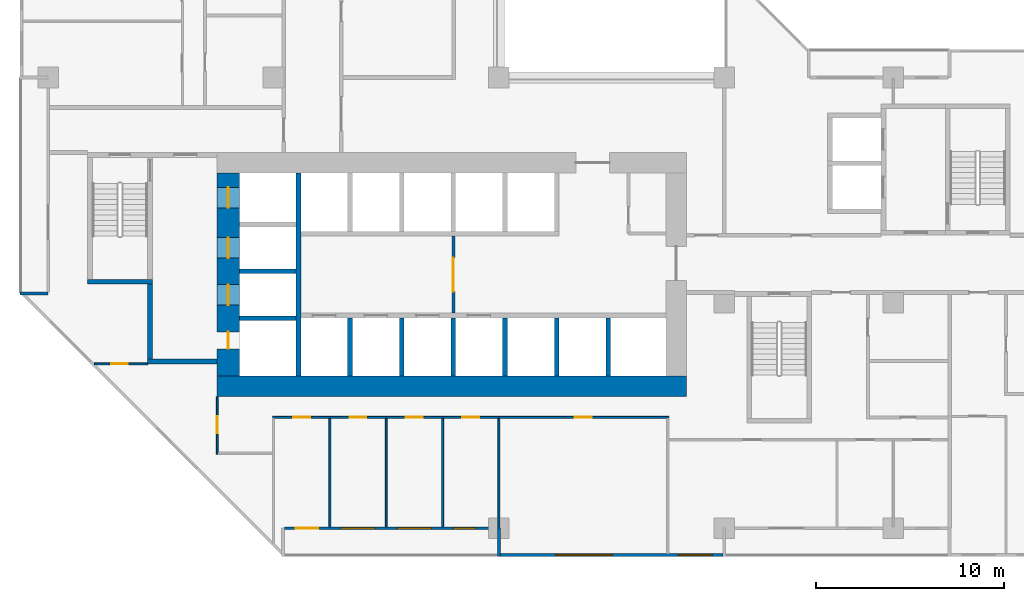
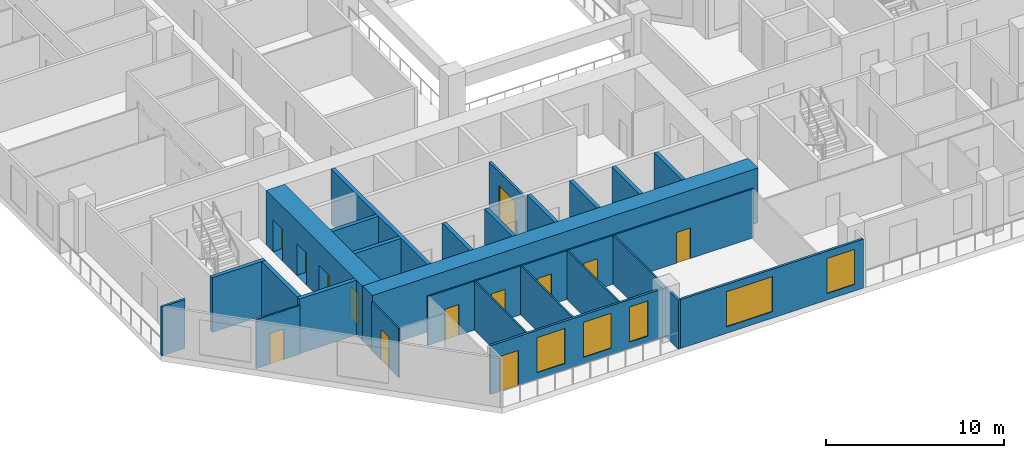
# One storey, part 4 of 15: 26 walls, 13 doors, 5 windows, 18 openings.
"""IFC4 building model written with IfcOpenShell, lengths in metres."""

from ifc_helpers import new_model, si_unit, direction, frame, frame_2d, origin, place, context, subcontext, project, spatial, rectangle, extrude, material, layer, layer_set, type_object, element, fill, save


model = new_model("IFC4")

# Units and contexts
model_context = context("Model", 3, precision=1e-05, world=origin(), true_north=direction((0.0, 1.0)))
body_context = subcontext(model_context, "Body", "Model", "MODEL_VIEW")
ifc_project = project(units=[si_unit("LENGTHUNIT", "METRE"), si_unit("AREAUNIT", "SQUARE_METRE"), si_unit("VOLUMEUNIT", "CUBIC_METRE"), si_unit("PLANEANGLEUNIT", "RADIAN"), si_unit("MASSUNIT", "GRAM", prefix="KILO")], contexts=[model_context])

# Site, building, storey
site_placement = place(None, origin())
site = spatial("IfcSite", under=ifc_project, at=site_placement, CompositionType="ELEMENT")
building_placement = place(site_placement, origin())
building = spatial("IfcBuilding", under=site, at=building_placement, Name="Chenar Terraces", CompositionType="ELEMENT")
storey_placement = place(building_placement, frame((0.0, 0.0, 60.14990234375)))
storey = spatial("IfcBuildingStorey", under=building, at=storey_placement, Name="L12", CompositionType="ELEMENT", Elevation=60.14990234375)

# Wall, opening, door
ifc_material_1 = material(Name="Gypsum board on steel studs", Category="steel")
ifc_layer_1 = layer(ifc_material_1, 0.14990234375)
ifc_layer_set_1 = layer_set([ifc_layer_1], Name="Gypsum board on steel studs")
wall_type_1 = type_object("IfcWallType", Name="Core partition 150 gypsum board", PredefinedType="PARTITIONING", material=ifc_layer_set_1)
wall_1_placement = place(storey_placement, frame((21.574951171875, 11.449951171875, 0.0), z_axis=(0.0, 0.0, 1.0), x_axis=(0.0, 1.0, 0.0)))
wall_1 = element("IfcWall", 1, at=wall_1_placement, inside=storey, type_object=wall_type_1, Name="Core partition CP1 lift lobby smoke stop", PredefinedType="PARTITIONING", context=body_context, shape_type="SweptSolid", body=[
    extrude(rectangle(XDim=4.10009765625, YDim=0.14990234375, at=frame_2d((2.050048828125, 0.0))), origin(), (0.0, 0.0, 1.0), 3.35009765625),
])
opening_1_placement = place(wall_1_placement, frame((1.14990234375, 0.0, 0.0)))
opening_1 = element("IfcOpeningElement", 2, at=opening_1_placement, cuts=wall_1, Name="Opening DL12-C12", PredefinedType="OPENING", context=body_context, shape_type="SweptSolid", body=[
    extrude(rectangle(XDim=1.800048828125, YDim=2.39990234375, at=frame_2d((0.89990234375, 1.199951171875))), frame((0.0, 0.0849609375, 0.0), z_axis=(0.0, -1.0, 0.0), x_axis=(1.0, 0.0, 0.0)), (0.0, 0.0, 1.0), 0.169921875),
])
ifc_material_2 = material(Name="Steel-framed fire-resisting door leaf", Category="steel")
door_type_1 = type_object("IfcDoorType", Name="Core entrance double fire door FD60 1800 x 2400", OperationType="DOUBLE_DOOR_SINGLE_SWING", PredefinedType="DOOR", material=ifc_material_2)
door_1_placement = place(opening_1_placement, frame((1.800048828125, 0.0, 0.0), z_axis=(0.0, 0.0, 1.0), x_axis=(-1.0, 0.0, 0.0)))
door_1 = element("IfcDoor", 3, at=door_1_placement, inside=storey, type_object=door_type_1, Name="Core door DL12-C12", OperationType="DOUBLE_DOOR_SINGLE_SWING", OverallHeight=2.39990234375, OverallWidth=1.800048828125, PredefinedType="DOOR", context=body_context, shape_type="SweptSolid", body=[
    extrude(rectangle(XDim=1.800048828125, YDim=2.39990234375, at=frame_2d((0.89990234375, 1.199951171875))), frame((0.0, 0.02490234375, 0.0), z_axis=(0.0, -1.0, 0.0), x_axis=(1.0, 0.0, 0.0)), (0.0, 0.0, 1.0), 0.050048828125),
])
fill(opening_1, door_1)

# Wall
ifc_material_3 = material(Name="Concrete C70/85", Category="concrete")
ifc_layer_2 = layer(ifc_material_3, 1.10009765625)
ifc_layer_set_2 = layer_set([ifc_layer_2], Name="Concrete C70/85")
wall_type_2 = type_object("IfcWallType", Name="Core wall 1100 Concrete C70/85", PredefinedType="SHEAR", material=ifc_layer_set_2)
wall_2_placement = place(storey_placement, frame((9.0, 7.550048828125, 0.0), z_axis=(0.0, 0.0, 1.0), x_axis=(1.0, 0.0, 0.0)))
element("IfcWall", 4, at=wall_2_placement, inside=storey, type_object=wall_type_2, Name="Core wall S L12", PredefinedType="SHEAR", context=body_context, shape_type="SweptSolid", body=[
    extrude(rectangle(XDim=25.0, YDim=1.10009765625, at=frame_2d((12.5, 0.0))), origin(), (0.0, 0.0, 1.0), 3.75),
])

# Wall, openings, doors
ifc_material_4 = material(Name="Concrete C70/85", Category="concrete")
ifc_layer_3 = layer(ifc_material_4, 1.199951171875)
ifc_layer_set_3 = layer_set([ifc_layer_3], Name="Concrete C70/85")
wall_type_3 = type_object("IfcWallType", Name="Core wall 1200 Concrete C70/85", PredefinedType="SHEAR", material=ifc_layer_set_3)
wall_3_placement = place(storey_placement, frame((9.60009765625, 8.10009765625, 0.0), z_axis=(0.0, 0.0, 1.0), x_axis=(0.0, 1.0, 0.0)))
wall_3 = element("IfcWall", 5, at=wall_3_placement, inside=storey, type_object=wall_type_3, Name="Core wall W L12", PredefinedType="SHEAR", context=body_context, shape_type="SweptSolid", body=[
    extrude(rectangle(XDim=10.7998046875, YDim=1.199951171875, at=frame_2d((5.39990234375, 0.0))), origin(), (0.0, 0.0, 1.0), 3.75),
])
opening_2_placement = place(wall_3_placement, frame((3.77490234375, 0.0, 0.0)))
opening_2 = element("IfcOpeningElement", 6, at=opening_2_placement, cuts=wall_3, Name="Opening DL12-LD5", PredefinedType="OPENING", context=body_context, shape_type="SweptSolid", body=[
    extrude(rectangle(XDim=1.10009765625, YDim=2.199951171875, at=frame_2d((0.550048828125, 1.10009765625))), frame((0.0, 0.60986328125, 0.0), z_axis=(0.0, -1.0, 0.0), x_axis=(1.0, 0.0, 0.0)), (0.0, 0.0, 1.0), 1.219970703125),
])
opening_3_placement = place(wall_3_placement, frame((6.27490234375, 0.0, 0.0)))
opening_3 = element("IfcOpeningElement", 7, at=opening_3_placement, cuts=wall_3, Name="Opening DL12-LD6", PredefinedType="OPENING", context=body_context, shape_type="SweptSolid", body=[
    extrude(rectangle(XDim=1.10009765625, YDim=2.199951171875, at=frame_2d((0.550048828125, 1.10009765625))), frame((0.0, 0.60986328125, 0.0), z_axis=(0.0, -1.0, 0.0), x_axis=(1.0, 0.0, 0.0)), (0.0, 0.0, 1.0), 1.219970703125),
])
opening_4_placement = place(wall_3_placement, frame((8.949951171875, 0.0, 0.0)))
opening_4 = element("IfcOpeningElement", 8, at=opening_4_placement, cuts=wall_3, Name="Opening DL12-LD7", PredefinedType="OPENING", context=body_context, shape_type="SweptSolid", body=[
    extrude(rectangle(XDim=1.10009765625, YDim=2.199951171875, at=frame_2d((0.550048828125, 1.10009765625))), frame((0.0, 0.60986328125, 0.0), z_axis=(0.0, -1.0, 0.0), x_axis=(1.0, 0.0, 0.0)), (0.0, 0.0, 1.0), 1.219970703125),
])
opening_5_placement = place(wall_3_placement, frame((1.449951171875, 0.0, 0.0)))
opening_5 = element("IfcOpeningElement", 9, at=opening_5_placement, cuts=wall_3, Name="Opening DL12-C4", PredefinedType="OPENING", context=body_context, shape_type="SweptSolid", body=[
    extrude(rectangle(XDim=0.89990234375, YDim=2.10009765625, at=frame_2d((0.449951171875, 1.050048828125))), frame((0.0, 0.60986328125, 0.0), z_axis=(0.0, -1.0, 0.0), x_axis=(1.0, 0.0, 0.0)), (0.0, 0.0, 1.0), 1.219970703125),
])
ifc_material_5 = material(Name="Stainless steel", Category="steel")
door_type_2 = type_object("IfcDoorType", Name="Lift landing door 1100 x 2200 sliding", OperationType="DOUBLE_DOOR_SLIDING", PredefinedType="DOOR", material=ifc_material_5)
door_2_placement = place(opening_2_placement, origin())
door_2 = element("IfcDoor", 10, at=door_2_placement, inside=storey, type_object=door_type_2, Name="Landing door S1", OperationType="DOUBLE_DOOR_SLIDING", OverallHeight=2.199951171875, OverallWidth=1.10009765625, PredefinedType="DOOR", context=body_context, shape_type="SweptSolid", body=[
    extrude(rectangle(XDim=1.10009765625, YDim=2.199951171875, at=frame_2d((0.550048828125, 1.10009765625))), frame((0.0, 0.02490234375, 0.0), z_axis=(0.0, -1.0, 0.0), x_axis=(1.0, 0.0, 0.0)), (0.0, 0.0, 1.0), 0.050048828125),
])
fill(opening_2, door_2)
door_3_placement = place(opening_3_placement, origin())
door_3 = element("IfcDoor", 11, at=door_3_placement, inside=storey, type_object=door_type_2, Name="Landing door F1", OperationType="DOUBLE_DOOR_SLIDING", OverallHeight=2.199951171875, OverallWidth=1.10009765625, PredefinedType="DOOR", context=body_context, shape_type="SweptSolid", body=[
    extrude(rectangle(XDim=1.10009765625, YDim=2.199951171875, at=frame_2d((0.550048828125, 1.10009765625))), frame((0.0, 0.02490234375, 0.0), z_axis=(0.0, -1.0, 0.0), x_axis=(1.0, 0.0, 0.0)), (0.0, 0.0, 1.0), 0.050048828125),
])
fill(opening_3, door_3)
door_4_placement = place(opening_4_placement, origin())
door_4 = element("IfcDoor", 12, at=door_4_placement, inside=storey, type_object=door_type_2, Name="Landing door F2", OperationType="DOUBLE_DOOR_SLIDING", OverallHeight=2.199951171875, OverallWidth=1.10009765625, PredefinedType="DOOR", context=body_context, shape_type="SweptSolid", body=[
    extrude(rectangle(XDim=1.10009765625, YDim=2.199951171875, at=frame_2d((0.550048828125, 1.10009765625))), frame((0.0, 0.02490234375, 0.0), z_axis=(0.0, -1.0, 0.0), x_axis=(1.0, 0.0, 0.0)), (0.0, 0.0, 1.0), 0.050048828125),
])
fill(opening_4, door_4)
ifc_material_6 = material(Name="Steel-framed fire-resisting door leaf", Category="steel")
door_type_3 = type_object("IfcDoorType", Name="Riser fire door FD60 900 x 2100", OperationType="SINGLE_SWING_LEFT", PredefinedType="DOOR", material=ifc_material_6)
door_5_placement = place(opening_5_placement, frame((0.89990234375, 0.0, 0.0), z_axis=(0.0, 0.0, 1.0), x_axis=(-1.0, 0.0, 0.0)))
door_5 = element("IfcDoor", 13, at=door_5_placement, inside=storey, type_object=door_type_3, Name="Riser door DL12-C4", OperationType="SINGLE_SWING_RIGHT", OverallHeight=2.10009765625, OverallWidth=0.89990234375, PredefinedType="DOOR", context=body_context, shape_type="SweptSolid", body=[
    extrude(rectangle(XDim=0.89990234375, YDim=2.10009765625, at=frame_2d((0.449951171875, 1.050048828125))), frame((0.0, 0.02490234375, 0.0), z_axis=(0.0, -1.0, 0.0), x_axis=(1.0, 0.0, 0.0)), (0.0, 0.0, 1.0), 0.050048828125),
])
fill(opening_5, door_5)

# Walls
ifc_material_7 = material(Name="Concrete C70/85", Category="concrete")
ifc_layer_4 = layer(ifc_material_7, 0.25)
ifc_layer_set_4 = layer_set([ifc_layer_4], Name="Concrete C70/85")
wall_type_4 = type_object("IfcWallType", Name="Core wall 250 Concrete C70/85", PredefinedType="SHEAR", material=ifc_layer_set_4)
wall_4_placement = place(storey_placement, frame((13.324951171875, 8.10009765625, 0.0), z_axis=(0.0, 0.0, 1.0), x_axis=(0.0, 1.0, 0.0)))
element("IfcWall", 14, at=wall_4_placement, inside=storey, type_object=wall_type_4, Name="Core wall WI L12", PredefinedType="SHEAR", context=body_context, shape_type="SweptSolid", body=[
    extrude(rectangle(XDim=10.7998046875, YDim=0.25, at=frame_2d((5.39990234375, 0.0))), origin(), (0.0, 0.0, 1.0), 3.75),
])
for number, where, z_axis, x_axis, name in (
    (15, (10.199951171875, 11.175048828125, 0.0), (0.0, 0.0, 1.0), (1.0, 0.0, 0.0), "Core wall HW0 L12"),
    (16, (10.199951171875, 13.675048828125, 0.0), (0.0, 0.0, 1.0), (1.0, 0.0, 0.0), "Core wall HW1 L12"),
):
    element("IfcWall", number, at=place(storey_placement, frame(where, z_axis=z_axis, x_axis=x_axis)), inside=storey, type_object=wall_type_4, Name=name, PredefinedType="SHEAR", context=body_context, shape_type="SweptSolid", body=[
        extrude(rectangle(XDim=3.0, YDim=0.25, at=frame_2d((1.5, 0.0))), origin(), (0.0, 0.0, 1.0), 3.75),
    ])
for number, where, z_axis, x_axis, name in (
    (17, (16.074951171875, 8.10009765625, 0.0), (0.0, 0.0, 1.0), (0.0, 1.0, 0.0), "Core wall SS0 L12"),
    (18, (18.824951171875, 8.10009765625, 0.0), (0.0, 0.0, 1.0), (0.0, 1.0, 0.0), "Core wall SS1 L12"),
    (19, (21.574951171875, 8.10009765625, 0.0), (0.0, 0.0, 1.0), (0.0, 1.0, 0.0), "Core wall SS2 L12"),
    (20, (24.324951171875, 8.10009765625, 0.0), (0.0, 0.0, 1.0), (0.0, 1.0, 0.0), "Core wall SS3 L12"),
    (21, (27.074951171875, 8.10009765625, 0.0), (0.0, 0.0, 1.0), (0.0, 1.0, 0.0), "Core wall SS4 L12"),
    (22, (29.824951171875, 8.10009765625, 0.0), (0.0, 0.0, 1.0), (0.0, 1.0, 0.0), "Core wall SS5 L12"),
):
    element("IfcWall", number, at=place(storey_placement, frame(where, z_axis=z_axis, x_axis=x_axis)), inside=storey, type_object=wall_type_4, Name=name, PredefinedType="SHEAR", context=body_context, shape_type="SweptSolid", body=[
        extrude(rectangle(XDim=3.099853515625, YDim=0.25, at=frame_2d((1.5498046875, 0.0))), origin(), (0.0, 0.0, 1.0), 3.75),
    ])
wall_5_placement = place(storey_placement, frame((2.10009765625, 13.125, 0.0), z_axis=(0.0, 0.0, 1.0), x_axis=(1.0, 0.0, 0.0)))
element("IfcWall", 23, at=wall_5_placement, inside=storey, type_object=wall_type_4, Name="Core wall ST1_S L12", PredefinedType="SHEAR", context=body_context, shape_type="SweptSolid", body=[
    extrude(rectangle(XDim=3.449951171875, YDim=0.25, at=frame_2d((1.72509765625, 0.0))), origin(), (0.0, 0.0, 1.0), 3.75),
])
wall_6_placement = place(storey_placement, frame((5.300048828125, 8.875, 0.0), z_axis=(0.0, 0.0, 1.0), x_axis=(1.0, 0.0, 0.0)))
element("IfcWall", 24, at=wall_6_placement, inside=storey, type_object=wall_type_4, Name="Core wall FFL_S L12", PredefinedType="SHEAR", context=body_context, shape_type="SweptSolid", body=[
    extrude(rectangle(XDim=3.699951171875, YDim=0.25, at=frame_2d((1.85009765625, 0.0))), origin(), (0.0, 0.0, 1.0), 3.75),
])
wall_7_placement = place(storey_placement, frame((5.425048828125, 9.0, 0.0), z_axis=(0.0, 0.0, 1.0), x_axis=(0.0, 1.0, 0.0)))
element("IfcWall", 25, at=wall_7_placement, inside=storey, type_object=wall_type_4, Name="Core wall FFL_W L12", PredefinedType="SHEAR", context=body_context, shape_type="SweptSolid", body=[
    extrude(rectangle(XDim=4.0, YDim=0.25, at=frame_2d((2.0, 0.0))), origin(), (0.0, 0.0, 1.0), 3.75),
])

# Wall, openings, windows
ifc_material_8 = material(Name="Aluminium framed glazing", Category="aluminium")
ifc_layer_5 = layer(ifc_material_8, 0.14990234375)
ifc_layer_set_5 = layer_set([ifc_layer_5], Name="Aluminium framed glazing")
wall_type_5 = type_object("IfcWallType", Name="Glazed flush facade wall 150", PredefinedType="SOLIDWALL", material=ifc_layer_set_5)
wall_8_placement = place(storey_placement, frame((24.074951171875, -1.425048828125, 0.0), z_axis=(0.0, 0.0, 1.0), x_axis=(1.0, 0.0, 0.0)))
wall_8 = element("IfcWall", 26, at=wall_8_placement, inside=storey, type_object=wall_type_5, Name="Glazed flush facade wall", PredefinedType="SOLIDWALL", context=body_context, shape_type="SweptSolid", body=[
    extrude(rectangle(XDim=11.85009765625, YDim=0.14990234375, at=frame_2d((5.925048828125, 0.0))), origin(), (0.0, 0.0, 1.0), 3.35009765625),
])
opening_6_placement = place(wall_8_placement, frame((2.96240234375, 0.0, 0.449951171875)))
opening_6 = element("IfcOpeningElement", 27, at=opening_6_placement, cuts=wall_8, Name="Opening W300x240", PredefinedType="OPENING", context=body_context, shape_type="SweptSolid", body=[
    extrude(rectangle(XDim=3.0, YDim=2.39990234375, at=frame_2d((1.5, 1.199951171875))), frame((0.0, 0.0849609375, 0.0), z_axis=(0.0, -1.0, 0.0), x_axis=(1.0, 0.0, 0.0)), (0.0, 0.0, 1.0), 0.169921875),
])
opening_7_placement = place(wall_8_placement, frame((9.487548828125, 0.0, 0.449951171875)))
opening_7 = element("IfcOpeningElement", 28, at=opening_7_placement, cuts=wall_8, Name="Opening W180x240", PredefinedType="OPENING", context=body_context, shape_type="SweptSolid", body=[
    extrude(rectangle(XDim=1.800048828125, YDim=2.39990234375, at=frame_2d((0.89990234375, 1.199951171875))), frame((0.0, 0.0849609375, 0.0), z_axis=(0.0, -1.0, 0.0), x_axis=(1.0, 0.0, 0.0)), (0.0, 0.0, 1.0), 0.169921875),
])
ifc_material_9 = material(Name="Low emissivity double glazing, aluminium frame", Category="aluminium")
window_type_1 = type_object("IfcWindowType", Name="Fixed light 1800 x 2400", PartitioningType="SINGLE_PANEL", PredefinedType="WINDOW", material=ifc_material_9)
window_1_placement = place(opening_7_placement, origin())
window_1 = element("IfcWindow", 29, at=window_1_placement, inside=storey, type_object=window_type_1, Name="Window", OverallHeight=2.39990234375, OverallWidth=1.800048828125, PartitioningType="SINGLE_PANEL", PredefinedType="WINDOW", context=body_context, shape_type="SweptSolid", body=[
    extrude(rectangle(XDim=1.800048828125, YDim=2.39990234375, at=frame_2d((0.89990234375, 1.199951171875))), frame((0.0, 0.030029296875, 0.0), z_axis=(0.0, -1.0, 0.0), x_axis=(1.0, 0.0, 0.0)), (0.0, 0.0, 1.0), 0.06005859375),
])
fill(opening_7, window_1)
ifc_material_10 = material(Name="Low emissivity double glazing, aluminium frame", Category="aluminium")
window_type_2 = type_object("IfcWindowType", Name="Fixed light 3000 x 2400", PartitioningType="SINGLE_PANEL", PredefinedType="WINDOW", material=ifc_material_10)
window_2_placement = place(opening_6_placement, origin())
window_2 = element("IfcWindow", 30, at=window_2_placement, inside=storey, type_object=window_type_2, Name="Window", OverallHeight=2.39990234375, OverallWidth=3.0, PartitioningType="SINGLE_PANEL", PredefinedType="WINDOW", context=body_context, shape_type="SweptSolid", body=[
    extrude(rectangle(XDim=3.0, YDim=2.39990234375, at=frame_2d((1.5, 1.199951171875))), frame((0.0, 0.030029296875, 0.0), z_axis=(0.0, -1.0, 0.0), x_axis=(1.0, 0.0, 0.0)), (0.0, 0.0, 1.0), 0.06005859375),
])
fill(opening_6, window_2)

# Wall, openings, windows, door
ifc_material_11 = material(Name="Aluminium framed glazing", Category="aluminium")
ifc_layer_6 = layer(ifc_material_11, 0.14990234375)
ifc_layer_set_6 = layer_set([ifc_layer_6], Name="Aluminium framed glazing")
wall_type_6 = type_object("IfcWallType", Name="Glazed loggia back wall 150", PredefinedType="SOLIDWALL", material=ifc_layer_set_6)
wall_9_placement = place(storey_placement, frame((12.574951171875, 0.0, 0.0), z_axis=(0.0, 0.0, 1.0), x_axis=(1.0, 0.0, 0.0)))
wall_9 = element("IfcWall", 31, at=wall_9_placement, inside=storey, type_object=wall_type_6, Name="Glazed loggia back wall", PredefinedType="SOLIDWALL", context=body_context, shape_type="SweptSolid", body=[
    extrude(rectangle(XDim=11.35009765625, YDim=0.14990234375, at=frame_2d((5.675048828125, 0.0))), origin(), (0.0, 0.0, 1.0), 3.35009765625),
])
opening_8_placement = place(wall_9_placement, frame((0.612548828125, 0.0, 0.0)))
opening_8 = element("IfcOpeningElement", 32, at=opening_8_placement, cuts=wall_9, Name="Opening DL12-G5", PredefinedType="OPENING", context=body_context, shape_type="SweptSolid", body=[
    extrude(rectangle(XDim=1.199951171875, YDim=2.39990234375, at=frame_2d((0.60009765625, 1.199951171875))), frame((0.0, 0.0849609375, 0.0), z_axis=(0.0, -1.0, 0.0), x_axis=(1.0, 0.0, 0.0)), (0.0, 0.0, 1.0), 0.169921875),
])
opening_9_placement = place(wall_9_placement, frame((3.02490234375, 0.0, 0.449951171875)))
opening_9 = element("IfcOpeningElement", 33, at=opening_9_placement, cuts=wall_9, Name="Opening W180x240", PredefinedType="OPENING", context=body_context, shape_type="SweptSolid", body=[
    extrude(rectangle(XDim=1.800048828125, YDim=2.39990234375, at=frame_2d((0.89990234375, 1.199951171875))), frame((0.0, 0.0849609375, 0.0), z_axis=(0.0, -1.0, 0.0), x_axis=(1.0, 0.0, 0.0)), (0.0, 0.0, 1.0), 0.169921875),
])
opening_10_placement = place(wall_9_placement, frame((6.02490234375, 0.0, 0.449951171875)))
opening_10 = element("IfcOpeningElement", 34, at=opening_10_placement, cuts=wall_9, Name="Opening W180x240", PredefinedType="OPENING", context=body_context, shape_type="SweptSolid", body=[
    extrude(rectangle(XDim=1.800048828125, YDim=2.39990234375, at=frame_2d((0.89990234375, 1.199951171875))), frame((0.0, 0.0849609375, 0.0), z_axis=(0.0, -1.0, 0.0), x_axis=(1.0, 0.0, 0.0)), (0.0, 0.0, 1.0), 0.169921875),
])
opening_11_placement = place(wall_9_placement, frame((9.0, 0.0, 0.449951171875)))
opening_11 = element("IfcOpeningElement", 35, at=opening_11_placement, cuts=wall_9, Name="Opening W120x240", PredefinedType="OPENING", context=body_context, shape_type="SweptSolid", body=[
    extrude(rectangle(XDim=1.199951171875, YDim=2.39990234375, at=frame_2d((0.60009765625, 1.199951171875))), frame((0.0, 0.0849609375, 0.0), z_axis=(0.0, -1.0, 0.0), x_axis=(1.0, 0.0, 0.0)), (0.0, 0.0, 1.0), 0.169921875),
])
ifc_material_12 = material(Name="Low emissivity double glazing, aluminium frame", Category="aluminium")
window_type_3 = type_object("IfcWindowType", Name="Fixed light 1200 x 2400", PartitioningType="SINGLE_PANEL", PredefinedType="WINDOW", material=ifc_material_12)
window_3_placement = place(opening_11_placement, origin())
window_3 = element("IfcWindow", 36, at=window_3_placement, inside=storey, type_object=window_type_3, Name="Window", OverallHeight=2.39990234375, OverallWidth=1.199951171875, PartitioningType="SINGLE_PANEL", PredefinedType="WINDOW", context=body_context, shape_type="SweptSolid", body=[
    extrude(rectangle(XDim=1.199951171875, YDim=2.39990234375, at=frame_2d((0.60009765625, 1.199951171875))), frame((0.0, 0.030029296875, 0.0), z_axis=(0.0, -1.0, 0.0), x_axis=(1.0, 0.0, 0.0)), (0.0, 0.0, 1.0), 0.06005859375),
])
fill(opening_11, window_3)
window_4_placement = place(opening_9_placement, origin())
window_4 = element("IfcWindow", 37, at=window_4_placement, inside=storey, type_object=window_type_1, Name="Window", OverallHeight=2.39990234375, OverallWidth=1.800048828125, PartitioningType="SINGLE_PANEL", PredefinedType="WINDOW", context=body_context, shape_type="SweptSolid", body=[
    extrude(rectangle(XDim=1.800048828125, YDim=2.39990234375, at=frame_2d((0.89990234375, 1.199951171875))), frame((0.0, 0.030029296875, 0.0), z_axis=(0.0, -1.0, 0.0), x_axis=(1.0, 0.0, 0.0)), (0.0, 0.0, 1.0), 0.06005859375),
])
fill(opening_9, window_4)
window_5_placement = place(opening_10_placement, origin())
window_5 = element("IfcWindow", 38, at=window_5_placement, inside=storey, type_object=window_type_1, Name="Window", OverallHeight=2.39990234375, OverallWidth=1.800048828125, PartitioningType="SINGLE_PANEL", PredefinedType="WINDOW", context=body_context, shape_type="SweptSolid", body=[
    extrude(rectangle(XDim=1.800048828125, YDim=2.39990234375, at=frame_2d((0.89990234375, 1.199951171875))), frame((0.0, 0.030029296875, 0.0), z_axis=(0.0, -1.0, 0.0), x_axis=(1.0, 0.0, 0.0)), (0.0, 0.0, 1.0), 0.06005859375),
])
fill(opening_10, window_5)
ifc_material_13 = material(Name="Low emissivity double glazing, aluminium frame", Category="aluminium")
door_type_4 = type_object("IfcDoorType", Name="Loggia glazed double door 1200 x 2400", OperationType="DOUBLE_DOOR_SINGLE_SWING", PredefinedType="DOOR", material=ifc_material_13)
door_6_placement = place(opening_8_placement, frame((1.199951171875, 0.0, 0.0), z_axis=(0.0, 0.0, 1.0), x_axis=(-1.0, 0.0, 0.0)))
door_6 = element("IfcDoor", 39, at=door_6_placement, inside=storey, type_object=door_type_4, Name="Loggia glazed door", OperationType="DOUBLE_DOOR_SINGLE_SWING", OverallHeight=2.39990234375, OverallWidth=1.199951171875, PredefinedType="DOOR", context=body_context, shape_type="SweptSolid", body=[
    extrude(rectangle(XDim=1.199951171875, YDim=2.39990234375, at=frame_2d((0.60009765625, 1.199951171875))), frame((0.0, 0.02490234375, 0.0), z_axis=(0.0, -1.0, 0.0), x_axis=(1.0, 0.0, 0.0)), (0.0, 0.0, 1.0), 0.050048828125),
])
fill(opening_8, door_6)

# Wall, opening, door
ifc_material_14 = material(Name="Gypsum board on steel studs", Category="steel")
ifc_layer_7 = layer(ifc_material_14, 0.10009765625)
ifc_layer_set_7 = layer_set([ifc_layer_7], Name="Gypsum board on steel studs")
wall_type_7 = type_object("IfcWallType", Name="Gypsum partition 100", PredefinedType="PARTITIONING", material=ifc_layer_set_7)
wall_10_placement = place(storey_placement, frame((2.4609375, 8.75, 0.0), z_axis=(0.0, 0.0, 1.0), x_axis=(1.0, 0.0, 0.0)))
wall_10 = element("IfcWall", 40, at=wall_10_placement, inside=storey, type_object=wall_type_7, Name="Partition L12-014", PredefinedType="PARTITIONING", context=body_context, shape_type="SweptSolid", body=[
    extrude(rectangle(XDim=2.839111328125, YDim=0.10009765625, at=frame_2d((1.41943359375, 0.0))), origin(), (0.0, 0.0, 1.0), 3.35009765625),
])
opening_12_placement = place(wall_10_placement, frame((0.888916015625, 0.0, 0.0)))
opening_12 = element("IfcOpeningElement", 41, at=opening_12_placement, cuts=wall_10, Name="Opening DL12-63", PredefinedType="OPENING", context=body_context, shape_type="SweptSolid", body=[
    extrude(rectangle(XDim=0.89990234375, YDim=2.10009765625, at=frame_2d((0.449951171875, 1.050048828125))), frame((0.0, 0.06005859375, 0.0), z_axis=(0.0, -1.0, 0.0), x_axis=(1.0, 0.0, 0.0)), (0.0, 0.0, 1.0), 0.1201171875),
])
ifc_material_15 = material(Name="Veneered timber door leaf", Category="wood")
door_type_5 = type_object("IfcDoorType", Name="Door 900 x 2100", OperationType="SINGLE_SWING_LEFT", PredefinedType="DOOR", material=ifc_material_15)
door_7_placement = place(opening_12_placement, frame((0.89990234375, 0.0, 0.0), z_axis=(0.0, 0.0, 1.0), x_axis=(-1.0, 0.0, 0.0)))
door_7 = element("IfcDoor", 42, at=door_7_placement, inside=storey, type_object=door_type_5, Name="Door DL12-63", OperationType="SINGLE_SWING_RIGHT", OverallHeight=2.10009765625, OverallWidth=0.89990234375, PredefinedType="DOOR", context=body_context, shape_type="SweptSolid", body=[
    extrude(rectangle(XDim=0.89990234375, YDim=2.10009765625, at=frame_2d((0.449951171875, 1.050048828125))), frame((0.0, 0.02490234375, 0.0), z_axis=(0.0, -1.0, 0.0), x_axis=(1.0, 0.0, 0.0)), (0.0, 0.0, 1.0), 0.050048828125),
])
fill(opening_12, door_7)

wall_11_placement = place(storey_placement, frame((9.0, 3.949951171875, 0.0), z_axis=(0.0, 0.0, 1.0), x_axis=(0.0, 1.0, 0.0)))
wall_11 = element("IfcWall", 43, at=wall_11_placement, inside=storey, type_object=wall_type_7, Name="Partition L12-031", PredefinedType="PARTITIONING", context=body_context, shape_type="SweptSolid", body=[
    extrude(rectangle(XDim=3.050048828125, YDim=0.10009765625, at=frame_2d((1.52490234375, 0.0))), origin(), (0.0, 0.0, 1.0), 3.35009765625),
])
opening_13_placement = place(wall_11_placement, frame((1.10009765625, 0.0, 0.0)))
opening_13 = element("IfcOpeningElement", 44, at=opening_13_placement, cuts=wall_11, Name="Opening DL12-62", PredefinedType="OPENING", context=body_context, shape_type="SweptSolid", body=[
    extrude(rectangle(XDim=0.89990234375, YDim=2.10009765625, at=frame_2d((0.449951171875, 1.050048828125))), frame((0.0, 0.06005859375, 0.0), z_axis=(0.0, -1.0, 0.0), x_axis=(1.0, 0.0, 0.0)), (0.0, 0.0, 1.0), 0.1201171875),
])
door_8_placement = place(opening_13_placement, origin())
door_8 = element("IfcDoor", 45, at=door_8_placement, inside=storey, type_object=door_type_5, Name="Door DL12-62", OperationType="SINGLE_SWING_LEFT", OverallHeight=2.10009765625, OverallWidth=0.89990234375, PredefinedType="DOOR", context=body_context, shape_type="SweptSolid", body=[
    extrude(rectangle(XDim=0.89990234375, YDim=2.10009765625, at=frame_2d((0.449951171875, 1.050048828125))), frame((0.0, 0.02490234375, 0.0), z_axis=(0.0, -1.0, 0.0), x_axis=(1.0, 0.0, 0.0)), (0.0, 0.0, 1.0), 0.050048828125),
])
fill(opening_13, door_8)

# Wall, openings, doors
wall_12_placement = place(storey_placement, frame((11.949951171875, 5.89990234375, 0.0), z_axis=(0.0, 0.0, 1.0), x_axis=(1.0, 0.0, 0.0)))
wall_12 = element("IfcWall", 46, at=wall_12_placement, inside=storey, type_object=wall_type_7, Name="Partition L12-033", PredefinedType="PARTITIONING", context=body_context, shape_type="SweptSolid", body=[
    extrude(rectangle(XDim=21.10009765625, YDim=0.10009765625, at=frame_2d((10.550048828125, 0.0))), origin(), (0.0, 0.0, 1.0), 3.35009765625),
])
opening_14_placement = place(wall_12_placement, frame((1.10009765625, 0.0, 0.0)))
opening_14 = element("IfcOpeningElement", 47, at=opening_14_placement, cuts=wall_12, Name="Opening DL12-56", PredefinedType="OPENING", context=body_context, shape_type="SweptSolid", body=[
    extrude(rectangle(XDim=0.89990234375, YDim=2.10009765625, at=frame_2d((0.449951171875, 1.050048828125))), frame((0.0, 0.06005859375, 0.0), z_axis=(0.0, -1.0, 0.0), x_axis=(1.0, 0.0, 0.0)), (0.0, 0.0, 1.0), 0.1201171875),
])
opening_15_placement = place(wall_12_placement, frame((4.10009765625, 0.0, 0.0)))
opening_15 = element("IfcOpeningElement", 48, at=opening_15_placement, cuts=wall_12, Name="Opening DL12-57", PredefinedType="OPENING", context=body_context, shape_type="SweptSolid", body=[
    extrude(rectangle(XDim=0.89990234375, YDim=2.10009765625, at=frame_2d((0.449951171875, 1.050048828125))), frame((0.0, 0.06005859375, 0.0), z_axis=(0.0, -1.0, 0.0), x_axis=(1.0, 0.0, 0.0)), (0.0, 0.0, 1.0), 0.1201171875),
])
opening_16_placement = place(wall_12_placement, frame((7.10009765625, 0.0, 0.0)))
opening_16 = element("IfcOpeningElement", 49, at=opening_16_placement, cuts=wall_12, Name="Opening DL12-58", PredefinedType="OPENING", context=body_context, shape_type="SweptSolid", body=[
    extrude(rectangle(XDim=0.89990234375, YDim=2.10009765625, at=frame_2d((0.449951171875, 1.050048828125))), frame((0.0, 0.06005859375, 0.0), z_axis=(0.0, -1.0, 0.0), x_axis=(1.0, 0.0, 0.0)), (0.0, 0.0, 1.0), 0.1201171875),
])
opening_17_placement = place(wall_12_placement, frame((10.10009765625, 0.0, 0.0)))
opening_17 = element("IfcOpeningElement", 50, at=opening_17_placement, cuts=wall_12, Name="Opening DL12-59", PredefinedType="OPENING", context=body_context, shape_type="SweptSolid", body=[
    extrude(rectangle(XDim=0.89990234375, YDim=2.10009765625, at=frame_2d((0.449951171875, 1.050048828125))), frame((0.0, 0.06005859375, 0.0), z_axis=(0.0, -1.0, 0.0), x_axis=(1.0, 0.0, 0.0)), (0.0, 0.0, 1.0), 0.1201171875),
])
opening_18_placement = place(wall_12_placement, frame((16.10009765625, 0.0, 0.0)))
opening_18 = element("IfcOpeningElement", 51, at=opening_18_placement, cuts=wall_12, Name="Opening DL12-66", PredefinedType="OPENING", context=body_context, shape_type="SweptSolid", body=[
    extrude(rectangle(XDim=0.89990234375, YDim=2.10009765625, at=frame_2d((0.449951171875, 1.050048828125))), frame((0.0, 0.06005859375, 0.0), z_axis=(0.0, -1.0, 0.0), x_axis=(1.0, 0.0, 0.0)), (0.0, 0.0, 1.0), 0.1201171875),
])
door_9_placement = place(opening_14_placement, frame((0.89990234375, 0.0, 0.0), z_axis=(0.0, 0.0, 1.0), x_axis=(-1.0, 0.0, 0.0)))
door_9 = element("IfcDoor", 52, at=door_9_placement, inside=storey, type_object=door_type_5, Name="Door DL12-56", OperationType="SINGLE_SWING_RIGHT", OverallHeight=2.10009765625, OverallWidth=0.89990234375, PredefinedType="DOOR", context=body_context, shape_type="SweptSolid", body=[
    extrude(rectangle(XDim=0.89990234375, YDim=2.10009765625, at=frame_2d((0.449951171875, 1.050048828125))), frame((0.0, 0.02490234375, 0.0), z_axis=(0.0, -1.0, 0.0), x_axis=(1.0, 0.0, 0.0)), (0.0, 0.0, 1.0), 0.050048828125),
])
fill(opening_14, door_9)
door_10_placement = place(opening_15_placement, frame((0.89990234375, 0.0, 0.0), z_axis=(0.0, 0.0, 1.0), x_axis=(-1.0, 0.0, 0.0)))
door_10 = element("IfcDoor", 53, at=door_10_placement, inside=storey, type_object=door_type_5, Name="Door DL12-57", OperationType="SINGLE_SWING_RIGHT", OverallHeight=2.10009765625, OverallWidth=0.89990234375, PredefinedType="DOOR", context=body_context, shape_type="SweptSolid", body=[
    extrude(rectangle(XDim=0.89990234375, YDim=2.10009765625, at=frame_2d((0.449951171875, 1.050048828125))), frame((0.0, 0.02490234375, 0.0), z_axis=(0.0, -1.0, 0.0), x_axis=(1.0, 0.0, 0.0)), (0.0, 0.0, 1.0), 0.050048828125),
])
fill(opening_15, door_10)
door_11_placement = place(opening_16_placement, frame((0.89990234375, 0.0, 0.0), z_axis=(0.0, 0.0, 1.0), x_axis=(-1.0, 0.0, 0.0)))
door_11 = element("IfcDoor", 54, at=door_11_placement, inside=storey, type_object=door_type_5, Name="Door DL12-58", OperationType="SINGLE_SWING_RIGHT", OverallHeight=2.10009765625, OverallWidth=0.89990234375, PredefinedType="DOOR", context=body_context, shape_type="SweptSolid", body=[
    extrude(rectangle(XDim=0.89990234375, YDim=2.10009765625, at=frame_2d((0.449951171875, 1.050048828125))), frame((0.0, 0.02490234375, 0.0), z_axis=(0.0, -1.0, 0.0), x_axis=(1.0, 0.0, 0.0)), (0.0, 0.0, 1.0), 0.050048828125),
])
fill(opening_16, door_11)
door_12_placement = place(opening_17_placement, frame((0.89990234375, 0.0, 0.0), z_axis=(0.0, 0.0, 1.0), x_axis=(-1.0, 0.0, 0.0)))
door_12 = element("IfcDoor", 55, at=door_12_placement, inside=storey, type_object=door_type_5, Name="Door DL12-59", OperationType="SINGLE_SWING_RIGHT", OverallHeight=2.10009765625, OverallWidth=0.89990234375, PredefinedType="DOOR", context=body_context, shape_type="SweptSolid", body=[
    extrude(rectangle(XDim=0.89990234375, YDim=2.10009765625, at=frame_2d((0.449951171875, 1.050048828125))), frame((0.0, 0.02490234375, 0.0), z_axis=(0.0, -1.0, 0.0), x_axis=(1.0, 0.0, 0.0)), (0.0, 0.0, 1.0), 0.050048828125),
])
fill(opening_17, door_12)
door_13_placement = place(opening_18_placement, frame((0.89990234375, 0.0, 0.0), z_axis=(0.0, 0.0, 1.0), x_axis=(-1.0, 0.0, 0.0)))
door_13 = element("IfcDoor", 56, at=door_13_placement, inside=storey, type_object=door_type_5, Name="Door DL12-66", OperationType="SINGLE_SWING_RIGHT", OverallHeight=2.10009765625, OverallWidth=0.89990234375, PredefinedType="DOOR", context=body_context, shape_type="SweptSolid", body=[
    extrude(rectangle(XDim=0.89990234375, YDim=2.10009765625, at=frame_2d((0.449951171875, 1.050048828125))), frame((0.0, 0.02490234375, 0.0), z_axis=(0.0, -1.0, 0.0), x_axis=(1.0, 0.0, 0.0)), (0.0, 0.0, 1.0), 0.050048828125),
])
fill(opening_18, door_13)

# Walls
for number, where, z_axis, x_axis, name in (
    (57, (15.0, 0.073974609375, 0.0), (0.0, 0.0, 1.0), (0.0, 1.0, 0.0), "Partition L12-036"),
    (58, (18.0, 0.073974609375, 0.0), (0.0, 0.0, 1.0), (0.0, 1.0, 0.0), "Partition L12-048"),
    (59, (21.0, 0.073974609375, 0.0), (0.0, 0.0, 1.0), (0.0, 1.0, 0.0), "Partition L12-056"),
):
    element("IfcWall", number, at=place(storey_placement, frame(where, z_axis=z_axis, x_axis=x_axis)), inside=storey, type_object=wall_type_7, Name=name, PredefinedType="PARTITIONING", context=body_context, shape_type="SweptSolid", body=[
        extrude(rectangle(XDim=5.776123046875, YDim=0.10009765625, at=frame_2d((2.88818359375, 0.0))), origin(), (0.0, 0.0, 1.0), 3.35009765625),
    ])
wall_13_placement = place(storey_placement, frame((24.0, 0.0, 0.0), z_axis=(0.0, 0.0, 1.0), x_axis=(0.0, 1.0, 0.0)))
element("IfcWall", 60, at=wall_13_placement, inside=storey, type_object=wall_type_7, Name="Partition L12-058", PredefinedType="PARTITIONING", context=body_context, shape_type="SweptSolid", body=[
    extrude(rectangle(XDim=5.85009765625, YDim=0.10009765625, at=frame_2d((2.925048828125, 0.0))), origin(), (0.0, 0.0, 1.0), 3.35009765625),
])
ifc_material_16 = material(Name="Terracotta cladding on insulated backing", Category="masonry")
ifc_layer_8 = layer(ifc_material_16, 0.14990234375)
ifc_layer_set_8 = layer_set([ifc_layer_8], Name="Terracotta cladding on insulated backing")
wall_type_8 = type_object("IfcWallType", Name="Loggia return wall 150", PredefinedType="SOLIDWALL", material=ifc_layer_set_8)
for number, where, z_axis, x_axis, name in (
    (61, (-1.5, 12.5, 0.0), (0.0, 0.0, 1.0), (1.0, 0.0, 0.0), "Loggia return wall"),
    (62, (24.0, -1.5, 0.0), (0.0, 0.0, 1.0), (0.0, 1.0, 0.0), "Loggia return wall"),
):
    element("IfcWall", number, at=place(storey_placement, frame(where, z_axis=z_axis, x_axis=x_axis)), inside=storey, type_object=wall_type_8, Name=name, PredefinedType="SOLIDWALL", context=body_context, shape_type="SweptSolid", body=[
        extrude(rectangle(XDim=1.5, YDim=0.14990234375, at=frame_2d((0.75, 0.0))), origin(), (0.0, 0.0, 1.0), 3.35009765625),
    ])

save(model, "model.ifc")
